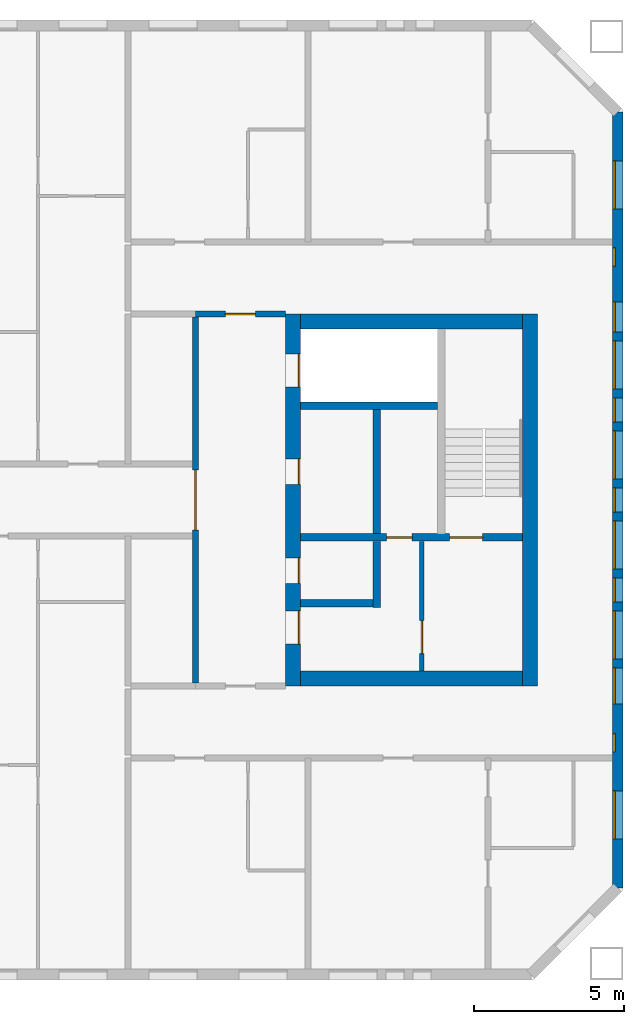
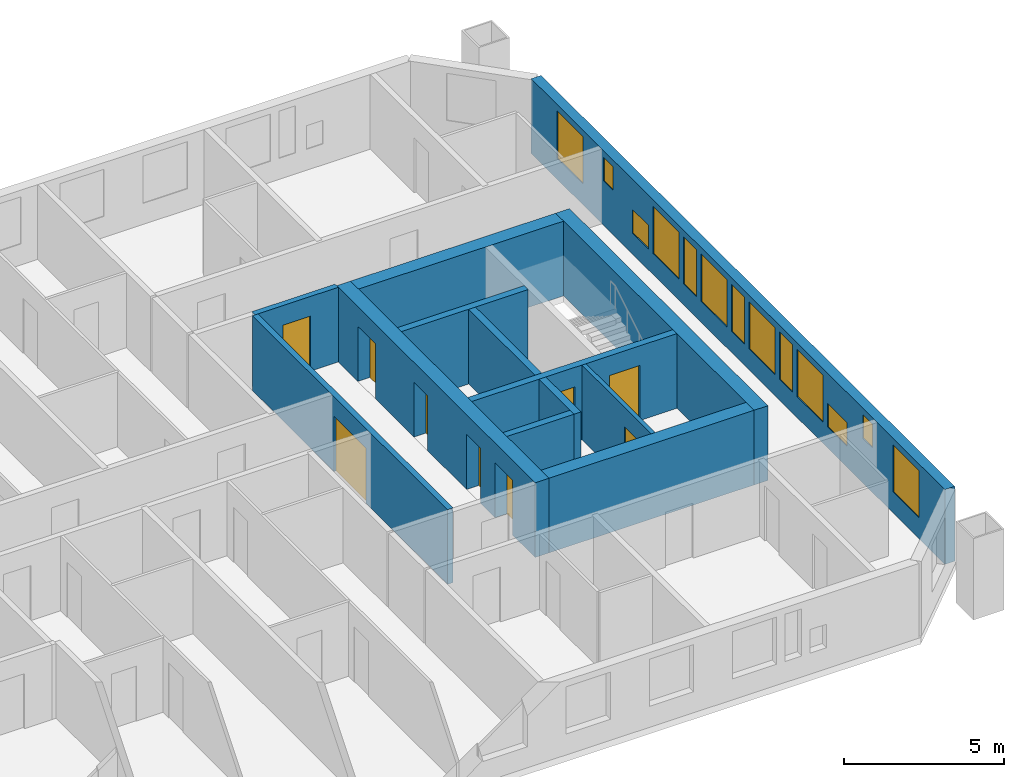
# One storey, part 13 of 16: 13 walls, 13 windows, 9 doors, 22 openings.
"""IFC4 building model written with IfcOpenShell, lengths in metres."""

from ifc_helpers import new_model, si_unit, direction, frame, frame_2d, origin, place, context, subcontext, project, spatial, rectangle, extrude, material, layer, layer_set, type_object, element, fill, save


model = new_model("IFC4")

# Units and contexts
model_context = context("Model", 3, precision=1e-05, world=origin(), true_north=direction((0.0, 1.0)))
body_context = subcontext(model_context, "Body", "Model", "MODEL_VIEW")
ifc_project = project(units=[si_unit("LENGTHUNIT", "METRE"), si_unit("AREAUNIT", "SQUARE_METRE"), si_unit("VOLUMEUNIT", "CUBIC_METRE"), si_unit("PLANEANGLEUNIT", "RADIAN"), si_unit("MASSUNIT", "GRAM", prefix="KILO")], contexts=[model_context])

# Site, building, storey
site_placement = place(None, origin())
site = spatial("IfcSite", under=ifc_project, at=site_placement, CompositionType="ELEMENT")
building_placement = place(site_placement, origin())
building = spatial("IfcBuilding", under=site, at=building_placement, Name="Tuart Gate Housing", CompositionType="ELEMENT")
storey_placement = place(building_placement, frame((0.0, 0.0, 151.60009765625)))
storey = spatial("IfcBuildingStorey", under=building, at=storey_placement, Name="L42", CompositionType="ELEMENT", Elevation=151.60009765625)

# Wall, openings, windows
ifc_material_1 = material(Name="Brick", Category="masonry")
ifc_layer_1 = layer(ifc_material_1, 0.360107421875)
ifc_layer_set_1 = layer_set([ifc_layer_1], Name="Brick pier and spandrel wall 360")
wall_type_1 = type_object("IfcWallType", Name="Brick pier and spandrel wall 360", PredefinedType="STANDARD", material=ifc_layer_set_1)
wall_1_placement = place(storey_placement, frame((171.320068359375, 57.07470703125, 0.0), z_axis=(0.0, 0.0, 1.0), x_axis=(0.0, 1.0, 0.0)))
wall_1 = element("IfcWall", 1, at=wall_1_placement, inside=storey, type_object=wall_type_1, Name="External wall B-E L42", PredefinedType="STANDARD", context=body_context, shape_type="SweptSolid", body=[
    extrude(rectangle(XDim=25.850830078125, YDim=0.360107421875, at=frame_2d((12.92529296875, 0.0))), origin(), (0.0, 0.0, 1.0), 2.849853515625),
])
opening_1_placement = place(wall_1_placement, frame((1.62548828125, 0.0, 0.800048828125)))
opening_1 = element("IfcOpeningElement", 2, at=opening_1_placement, cuts=wall_1, Name="Opening W1", PredefinedType="OPENING", context=body_context, shape_type="SweptSolid", body=[
    extrude(rectangle(XDim=1.60009765625, YDim=1.800048828125, at=frame_2d((0.800048828125, 0.89990234375))), frame((0.0, 0.18994140625, 0.0), z_axis=(0.0, -1.0, 0.0), x_axis=(1.0, 0.0, 0.0)), (0.0, 0.0, 1.0), 0.380126953125),
])
opening_2_placement = place(wall_1_placement, frame((4.525390625, 0.0, 1.699951171875)))
opening_2 = element("IfcOpeningElement", 3, at=opening_2_placement, cuts=wall_1, Name="Opening W1W", PredefinedType="OPENING", context=body_context, shape_type="SweptSolid", body=[
    extrude(rectangle(XDim=0.60009765625, YDim=0.89990234375, at=frame_2d((0.300048828125, 0.449951171875))), frame((0.0, 0.18994140625, 0.0), z_axis=(0.0, -1.0, 0.0), x_axis=(1.0, 0.0, 0.0)), (0.0, 0.0, 1.0), 0.380126953125),
])
opening_3_placement = place(wall_1_placement, frame((7.62548828125, 0.0, 0.800048828125)))
opening_3 = element("IfcOpeningElement", 4, at=opening_3_placement, cuts=wall_1, Name="Opening W1", PredefinedType="OPENING", context=body_context, shape_type="SweptSolid", body=[
    extrude(rectangle(XDim=1.60009765625, YDim=1.800048828125, at=frame_2d((0.800048828125, 0.89990234375))), frame((0.0, 0.18994140625, 0.0), z_axis=(0.0, -1.0, 0.0), x_axis=(1.0, 0.0, 0.0)), (0.0, 0.0, 1.0), 0.380126953125),
])
opening_4_placement = place(wall_1_placement, frame((10.62548828125, 0.0, 0.800048828125)))
opening_4 = element("IfcOpeningElement", 5, at=opening_4_placement, cuts=wall_1, Name="Opening W1", PredefinedType="OPENING", context=body_context, shape_type="SweptSolid", body=[
    extrude(rectangle(XDim=1.60009765625, YDim=1.800048828125, at=frame_2d((0.800048828125, 0.89990234375))), frame((0.0, 0.18994140625, 0.0), z_axis=(0.0, -1.0, 0.0), x_axis=(1.0, 0.0, 0.0)), (0.0, 0.0, 1.0), 0.380126953125),
])
opening_5_placement = place(wall_1_placement, frame((13.62548828125, 0.0, 0.800048828125)))
opening_5 = element("IfcOpeningElement", 6, at=opening_5_placement, cuts=wall_1, Name="Opening W1", PredefinedType="OPENING", context=body_context, shape_type="SweptSolid", body=[
    extrude(rectangle(XDim=1.60009765625, YDim=1.800048828125, at=frame_2d((0.800048828125, 0.89990234375))), frame((0.0, 0.18994140625, 0.0), z_axis=(0.0, -1.0, 0.0), x_axis=(1.0, 0.0, 0.0)), (0.0, 0.0, 1.0), 0.380126953125),
])
opening_6_placement = place(wall_1_placement, frame((16.62548828125, 0.0, 0.800048828125)))
opening_6 = element("IfcOpeningElement", 7, at=opening_6_placement, cuts=wall_1, Name="Opening W1", PredefinedType="OPENING", context=body_context, shape_type="SweptSolid", body=[
    extrude(rectangle(XDim=1.60009765625, YDim=1.800048828125, at=frame_2d((0.800048828125, 0.89990234375))), frame((0.0, 0.18994140625, 0.0), z_axis=(0.0, -1.0, 0.0), x_axis=(1.0, 0.0, 0.0)), (0.0, 0.0, 1.0), 0.380126953125),
])
opening_7_placement = place(wall_1_placement, frame((6.12548828125, 0.0, 0.800048828125)))
opening_7 = element("IfcOpeningElement", 8, at=opening_7_placement, cuts=wall_1, Name="Opening W1T", PredefinedType="OPENING", context=body_context, shape_type="SweptSolid", body=[
    extrude(rectangle(XDim=1.199951171875, YDim=0.89990234375, at=frame_2d((0.60009765625, 0.449951171875))), frame((0.0, 0.18994140625, 0.0), z_axis=(0.0, -1.0, 0.0), x_axis=(1.0, 0.0, 0.0)), (0.0, 0.0, 1.0), 0.380126953125),
])
opening_8_placement = place(wall_1_placement, frame((22.62548828125, 0.0, 0.800048828125)))
opening_8 = element("IfcOpeningElement", 9, at=opening_8_placement, cuts=wall_1, Name="Opening W1", PredefinedType="OPENING", context=body_context, shape_type="SweptSolid", body=[
    extrude(rectangle(XDim=1.60009765625, YDim=1.800048828125, at=frame_2d((0.800048828125, 0.89990234375))), frame((0.0, 0.18994140625, 0.0), z_axis=(0.0, -1.0, 0.0), x_axis=(1.0, 0.0, 0.0)), (0.0, 0.0, 1.0), 0.380126953125),
])
opening_9_placement = place(wall_1_placement, frame((9.525390625, 0.0, 0.800048828125)))
opening_9 = element("IfcOpeningElement", 10, at=opening_9_placement, cuts=wall_1, Name="Opening W1D", PredefinedType="OPENING", context=body_context, shape_type="SweptSolid", body=[
    extrude(rectangle(XDim=0.800048828125, YDim=1.800048828125, at=frame_2d((0.39990234375, 0.89990234375))), frame((0.0, 0.18994140625, 0.0), z_axis=(0.0, -1.0, 0.0), x_axis=(1.0, 0.0, 0.0)), (0.0, 0.0, 1.0), 0.380126953125),
])
opening_10_placement = place(wall_1_placement, frame((12.525390625, 0.0, 0.800048828125)))
opening_10 = element("IfcOpeningElement", 11, at=opening_10_placement, cuts=wall_1, Name="Opening W1D", PredefinedType="OPENING", context=body_context, shape_type="SweptSolid", body=[
    extrude(rectangle(XDim=0.800048828125, YDim=1.800048828125, at=frame_2d((0.39990234375, 0.89990234375))), frame((0.0, 0.18994140625, 0.0), z_axis=(0.0, -1.0, 0.0), x_axis=(1.0, 0.0, 0.0)), (0.0, 0.0, 1.0), 0.380126953125),
])
opening_11_placement = place(wall_1_placement, frame((15.525390625, 0.0, 0.800048828125)))
opening_11 = element("IfcOpeningElement", 12, at=opening_11_placement, cuts=wall_1, Name="Opening W1D", PredefinedType="OPENING", context=body_context, shape_type="SweptSolid", body=[
    extrude(rectangle(XDim=0.800048828125, YDim=1.800048828125, at=frame_2d((0.39990234375, 0.89990234375))), frame((0.0, 0.18994140625, 0.0), z_axis=(0.0, -1.0, 0.0), x_axis=(1.0, 0.0, 0.0)), (0.0, 0.0, 1.0), 0.380126953125),
])
opening_12_placement = place(wall_1_placement, frame((18.525390625, 0.0, 0.800048828125)))
opening_12 = element("IfcOpeningElement", 13, at=opening_12_placement, cuts=wall_1, Name="Opening W1U", PredefinedType="OPENING", context=body_context, shape_type="SweptSolid", body=[
    extrude(rectangle(XDim=1.0, YDim=0.89990234375, at=frame_2d((0.5, 0.449951171875))), frame((0.0, 0.18994140625, 0.0), z_axis=(0.0, -1.0, 0.0), x_axis=(1.0, 0.0, 0.0)), (0.0, 0.0, 1.0), 0.380126953125),
])
opening_13_placement = place(wall_1_placement, frame((20.725341796875, 0.0, 1.699951171875)))
opening_13 = element("IfcOpeningElement", 14, at=opening_13_placement, cuts=wall_1, Name="Opening W1W", PredefinedType="OPENING", context=body_context, shape_type="SweptSolid", body=[
    extrude(rectangle(XDim=0.60009765625, YDim=0.89990234375, at=frame_2d((0.300048828125, 0.449951171875))), frame((0.0, 0.18994140625, 0.0), z_axis=(0.0, -1.0, 0.0), x_axis=(1.0, 0.0, 0.0)), (0.0, 0.0, 1.0), 0.380126953125),
])
ifc_material_2 = material(Name="Aluminium frame with clear glass", Category="aluminium")
window_type_1 = type_object("IfcWindowType", Name="Punched window 1000 x 900", PartitioningType="SINGLE_PANEL", PredefinedType="WINDOW", material=ifc_material_2)
window_1_placement = place(opening_12_placement, origin())
window_1 = element("IfcWindow", 15, at=window_1_placement, inside=storey, type_object=window_type_1, Name="Window W1U", OverallHeight=0.89990234375, OverallWidth=1.0, PartitioningType="SINGLE_PANEL", PredefinedType="WINDOW", context=body_context, shape_type="SweptSolid", body=[
    extrude(rectangle(XDim=1.0, YDim=0.89990234375, at=frame_2d((0.5, 0.449951171875))), frame((0.0, 0.150146484375, 0.0), z_axis=(0.0, -1.0, 0.0), x_axis=(1.0, 0.0, 0.0)), (0.0, 0.0, 1.0), 0.06005859375),
])
fill(opening_12, window_1)
ifc_material_3 = material(Name="Aluminium frame with clear glass", Category="aluminium")
window_type_2 = type_object("IfcWindowType", Name="Punched window 1200 x 900", PartitioningType="SINGLE_PANEL", PredefinedType="WINDOW", material=ifc_material_3)
window_2_placement = place(opening_7_placement, origin())
window_2 = element("IfcWindow", 16, at=window_2_placement, inside=storey, type_object=window_type_2, Name="Window W1T", OverallHeight=0.89990234375, OverallWidth=1.199951171875, PartitioningType="SINGLE_PANEL", PredefinedType="WINDOW", context=body_context, shape_type="SweptSolid", body=[
    extrude(rectangle(XDim=1.199951171875, YDim=0.89990234375, at=frame_2d((0.60009765625, 0.449951171875))), frame((0.0, 0.150146484375, 0.0), z_axis=(0.0, -1.0, 0.0), x_axis=(1.0, 0.0, 0.0)), (0.0, 0.0, 1.0), 0.06005859375),
])
fill(opening_7, window_2)
ifc_material_4 = material(Name="Aluminium frame with clear glass", Category="aluminium")
window_type_3 = type_object("IfcWindowType", Name="Punched window 1600 x 1800", PartitioningType="SINGLE_PANEL", PredefinedType="WINDOW", material=ifc_material_4)
window_3_placement = place(opening_1_placement, origin())
window_3 = element("IfcWindow", 17, at=window_3_placement, inside=storey, type_object=window_type_3, Name="Window W1", OverallHeight=1.800048828125, OverallWidth=1.60009765625, PartitioningType="SINGLE_PANEL", PredefinedType="WINDOW", context=body_context, shape_type="SweptSolid", body=[
    extrude(rectangle(XDim=1.60009765625, YDim=1.800048828125, at=frame_2d((0.800048828125, 0.89990234375))), frame((0.0, 0.150146484375, 0.0), z_axis=(0.0, -1.0, 0.0), x_axis=(1.0, 0.0, 0.0)), (0.0, 0.0, 1.0), 0.06005859375),
])
fill(opening_1, window_3)
window_4_placement = place(opening_3_placement, origin())
window_4 = element("IfcWindow", 18, at=window_4_placement, inside=storey, type_object=window_type_3, Name="Window W1", OverallHeight=1.800048828125, OverallWidth=1.60009765625, PartitioningType="SINGLE_PANEL", PredefinedType="WINDOW", context=body_context, shape_type="SweptSolid", body=[
    extrude(rectangle(XDim=1.60009765625, YDim=1.800048828125, at=frame_2d((0.800048828125, 0.89990234375))), frame((0.0, 0.150146484375, 0.0), z_axis=(0.0, -1.0, 0.0), x_axis=(1.0, 0.0, 0.0)), (0.0, 0.0, 1.0), 0.06005859375),
])
fill(opening_3, window_4)
window_5_placement = place(opening_4_placement, origin())
window_5 = element("IfcWindow", 19, at=window_5_placement, inside=storey, type_object=window_type_3, Name="Window W1", OverallHeight=1.800048828125, OverallWidth=1.60009765625, PartitioningType="SINGLE_PANEL", PredefinedType="WINDOW", context=body_context, shape_type="SweptSolid", body=[
    extrude(rectangle(XDim=1.60009765625, YDim=1.800048828125, at=frame_2d((0.800048828125, 0.89990234375))), frame((0.0, 0.150146484375, 0.0), z_axis=(0.0, -1.0, 0.0), x_axis=(1.0, 0.0, 0.0)), (0.0, 0.0, 1.0), 0.06005859375),
])
fill(opening_4, window_5)
window_6_placement = place(opening_5_placement, origin())
window_6 = element("IfcWindow", 20, at=window_6_placement, inside=storey, type_object=window_type_3, Name="Window W1", OverallHeight=1.800048828125, OverallWidth=1.60009765625, PartitioningType="SINGLE_PANEL", PredefinedType="WINDOW", context=body_context, shape_type="SweptSolid", body=[
    extrude(rectangle(XDim=1.60009765625, YDim=1.800048828125, at=frame_2d((0.800048828125, 0.89990234375))), frame((0.0, 0.150146484375, 0.0), z_axis=(0.0, -1.0, 0.0), x_axis=(1.0, 0.0, 0.0)), (0.0, 0.0, 1.0), 0.06005859375),
])
fill(opening_5, window_6)
window_7_placement = place(opening_6_placement, origin())
window_7 = element("IfcWindow", 21, at=window_7_placement, inside=storey, type_object=window_type_3, Name="Window W1", OverallHeight=1.800048828125, OverallWidth=1.60009765625, PartitioningType="SINGLE_PANEL", PredefinedType="WINDOW", context=body_context, shape_type="SweptSolid", body=[
    extrude(rectangle(XDim=1.60009765625, YDim=1.800048828125, at=frame_2d((0.800048828125, 0.89990234375))), frame((0.0, 0.150146484375, 0.0), z_axis=(0.0, -1.0, 0.0), x_axis=(1.0, 0.0, 0.0)), (0.0, 0.0, 1.0), 0.06005859375),
])
fill(opening_6, window_7)
window_8_placement = place(opening_8_placement, origin())
window_8 = element("IfcWindow", 22, at=window_8_placement, inside=storey, type_object=window_type_3, Name="Window W1", OverallHeight=1.800048828125, OverallWidth=1.60009765625, PartitioningType="SINGLE_PANEL", PredefinedType="WINDOW", context=body_context, shape_type="SweptSolid", body=[
    extrude(rectangle(XDim=1.60009765625, YDim=1.800048828125, at=frame_2d((0.800048828125, 0.89990234375))), frame((0.0, 0.150146484375, 0.0), z_axis=(0.0, -1.0, 0.0), x_axis=(1.0, 0.0, 0.0)), (0.0, 0.0, 1.0), 0.06005859375),
])
fill(opening_8, window_8)
ifc_material_5 = material(Name="Aluminium frame with clear glass", Category="aluminium")
window_type_4 = type_object("IfcWindowType", Name="Punched window 600 x 900", PartitioningType="SINGLE_PANEL", PredefinedType="WINDOW", material=ifc_material_5)
window_9_placement = place(opening_2_placement, origin())
window_9 = element("IfcWindow", 23, at=window_9_placement, inside=storey, type_object=window_type_4, Name="Window W1W", OverallHeight=0.89990234375, OverallWidth=0.60009765625, PartitioningType="SINGLE_PANEL", PredefinedType="WINDOW", context=body_context, shape_type="SweptSolid", body=[
    extrude(rectangle(XDim=0.60009765625, YDim=0.89990234375, at=frame_2d((0.300048828125, 0.449951171875))), frame((0.0, 0.150146484375, 0.0), z_axis=(0.0, -1.0, 0.0), x_axis=(1.0, 0.0, 0.0)), (0.0, 0.0, 1.0), 0.06005859375),
])
fill(opening_2, window_9)
window_10_placement = place(opening_13_placement, origin())
window_10 = element("IfcWindow", 24, at=window_10_placement, inside=storey, type_object=window_type_4, Name="Window W1W", OverallHeight=0.89990234375, OverallWidth=0.60009765625, PartitioningType="SINGLE_PANEL", PredefinedType="WINDOW", context=body_context, shape_type="SweptSolid", body=[
    extrude(rectangle(XDim=0.60009765625, YDim=0.89990234375, at=frame_2d((0.300048828125, 0.449951171875))), frame((0.0, 0.150146484375, 0.0), z_axis=(0.0, -1.0, 0.0), x_axis=(1.0, 0.0, 0.0)), (0.0, 0.0, 1.0), 0.06005859375),
])
fill(opening_13, window_10)
ifc_material_6 = material(Name="Aluminium frame with clear glass", Category="aluminium")
window_type_5 = type_object("IfcWindowType", Name="Punched window 800 x 1800", PartitioningType="SINGLE_PANEL", PredefinedType="WINDOW", material=ifc_material_6)
window_11_placement = place(opening_9_placement, origin())
window_11 = element("IfcWindow", 25, at=window_11_placement, inside=storey, type_object=window_type_5, Name="Window W1D", OverallHeight=1.800048828125, OverallWidth=0.800048828125, PartitioningType="SINGLE_PANEL", PredefinedType="WINDOW", context=body_context, shape_type="SweptSolid", body=[
    extrude(rectangle(XDim=0.800048828125, YDim=1.800048828125, at=frame_2d((0.39990234375, 0.89990234375))), frame((0.0, 0.150146484375, 0.0), z_axis=(0.0, -1.0, 0.0), x_axis=(1.0, 0.0, 0.0)), (0.0, 0.0, 1.0), 0.06005859375),
])
fill(opening_9, window_11)
window_12_placement = place(opening_10_placement, origin())
window_12 = element("IfcWindow", 26, at=window_12_placement, inside=storey, type_object=window_type_5, Name="Window W1D", OverallHeight=1.800048828125, OverallWidth=0.800048828125, PartitioningType="SINGLE_PANEL", PredefinedType="WINDOW", context=body_context, shape_type="SweptSolid", body=[
    extrude(rectangle(XDim=0.800048828125, YDim=1.800048828125, at=frame_2d((0.39990234375, 0.89990234375))), frame((0.0, 0.150146484375, 0.0), z_axis=(0.0, -1.0, 0.0), x_axis=(1.0, 0.0, 0.0)), (0.0, 0.0, 1.0), 0.06005859375),
])
fill(opening_10, window_12)
window_13_placement = place(opening_11_placement, origin())
window_13 = element("IfcWindow", 27, at=window_13_placement, inside=storey, type_object=window_type_5, Name="Window W1D", OverallHeight=1.800048828125, OverallWidth=0.800048828125, PartitioningType="SINGLE_PANEL", PredefinedType="WINDOW", context=body_context, shape_type="SweptSolid", body=[
    extrude(rectangle(XDim=0.800048828125, YDim=1.800048828125, at=frame_2d((0.39990234375, 0.89990234375))), frame((0.0, 0.150146484375, 0.0), z_axis=(0.0, -1.0, 0.0), x_axis=(1.0, 0.0, 0.0)), (0.0, 0.0, 1.0), 0.06005859375),
])
fill(opening_11, window_13)

# Wall, opening, door
ifc_material_7 = material(Name="Plasterboard partition")
ifc_layer_2 = layer(ifc_material_7, 0.14990234375)
ifc_layer_set_2 = layer_set([ifc_layer_2], Name="Core partition 150")
wall_type_2 = type_object("IfcWallType", Name="Core partition 150", PredefinedType="PARTITIONING", material=ifc_layer_set_2)
wall_2_placement = place(storey_placement, frame((164.7900390625, 68.625, 0.0), z_axis=(0.0, 0.0, 1.0), x_axis=(0.0, -1.0, 0.0)))
wall_2 = element("IfcWall", 28, at=wall_2_placement, inside=storey, type_object=wall_type_2, Name="Core partition BK.6", PredefinedType="PARTITIONING", context=body_context, shape_type="SweptSolid", body=[
    extrude(rectangle(XDim=4.324951171875, YDim=0.14990234375, at=frame_2d((2.16259765625, 0.0))), origin(), (0.0, 0.0, 1.0), 2.849853515625),
])
opening_14_placement = place(wall_2_placement, frame((2.64990234375, 0.0, 0.0)))
opening_14 = element("IfcOpeningElement", 29, at=opening_14_placement, cuts=wall_2, Name="Opening D1605", PredefinedType="OPENING", context=body_context, shape_type="SweptSolid", body=[
    extrude(rectangle(XDim=1.10009765625, YDim=2.10009765625, at=frame_2d((0.550048828125, 1.050048828125))), frame((0.0, 0.0849609375, 0.0), z_axis=(0.0, -1.0, 0.0), x_axis=(1.0, 0.0, 0.0)), (0.0, 0.0, 1.0), 0.169921875),
])
ifc_material_8 = material(Name="Steel fire door", Category="steel")
door_type_1 = type_object("IfcDoorType", Name="Lobby door 1100 x 2100 RH", OperationType="SINGLE_SWING_RIGHT", PredefinedType="DOOR", material=ifc_material_8)
door_1_placement = place(opening_14_placement, origin())
door_1 = element("IfcDoor", 30, at=door_1_placement, inside=storey, type_object=door_type_1, Name="Smoke lobby door BK.KD", OperationType="SINGLE_SWING_RIGHT", OverallHeight=2.10009765625, OverallWidth=1.10009765625, PredefinedType="DOOR", context=body_context, shape_type="SweptSolid", body=[
    extrude(rectangle(XDim=1.10009765625, YDim=2.10009765625, at=frame_2d((0.550048828125, 1.050048828125))), frame((0.0, 0.02490234375, 0.0), z_axis=(0.0, -1.0, 0.0), x_axis=(1.0, 0.0, 0.0)), (0.0, 0.0, 1.0), 0.050048828125),
])
fill(opening_14, door_1)

# Wall
ifc_material_9 = material(Name="Concrete C40", Category="concrete")
ifc_layer_3 = layer(ifc_material_9, 0.25)
ifc_layer_set_3 = layer_set([ifc_layer_3], Name="Core wall 250 C40")
wall_type_3 = type_object("IfcWallType", Name="Core wall 250 C40", PredefinedType="SHEAR", material=ifc_layer_set_3)
wall_3_placement = place(storey_placement, frame((160.739990234375, 73.14990234375, 0.0), z_axis=(0.0, 0.0, 1.0), x_axis=(1.0, 0.0, 0.0)))
element("IfcWall", 31, at=wall_3_placement, inside=storey, type_object=wall_type_3, Name="Core wall BK.1", PredefinedType="SHEAR", context=body_context, shape_type="SweptSolid", body=[
    extrude(rectangle(XDim=4.574951171875, YDim=0.25, at=frame_2d((2.28759765625, 0.0))), origin(), (0.0, 0.0, 1.0), 2.849853515625),
])

# Wall, openings, doors
wall_4_placement = place(storey_placement, frame((160.739990234375, 68.75, 0.0), z_axis=(0.0, 0.0, 1.0), x_axis=(1.0, 0.0, 0.0)))
wall_4 = element("IfcWall", 32, at=wall_4_placement, inside=storey, type_object=wall_type_3, Name="Core wall BK.2", PredefinedType="SHEAR", context=body_context, shape_type="SweptSolid", body=[
    extrude(rectangle(XDim=7.39990234375, YDim=0.25, at=frame_2d((3.699951171875, 0.0))), origin(), (0.0, 0.0, 1.0), 2.849853515625),
])
opening_15_placement = place(wall_4_placement, frame((4.97509765625, 0.0, 0.0)))
opening_15 = element("IfcOpeningElement", 33, at=opening_15_placement, cuts=wall_4, Name="Opening D1604", PredefinedType="OPENING", context=body_context, shape_type="SweptSolid", body=[
    extrude(rectangle(XDim=1.10009765625, YDim=2.10009765625, at=frame_2d((0.550048828125, 1.050048828125))), frame((0.0, 0.135009765625, 0.0), z_axis=(0.0, -1.0, 0.0), x_axis=(1.0, 0.0, 0.0)), (0.0, 0.0, 1.0), 0.27001953125),
])
opening_16_placement = place(wall_4_placement, frame((2.875, 0.0, 0.0)))
opening_16 = element("IfcOpeningElement", 34, at=opening_16_placement, cuts=wall_4, Name="Opening D1603", PredefinedType="OPENING", context=body_context, shape_type="SweptSolid", body=[
    extrude(rectangle(XDim=0.85009765625, YDim=2.10009765625, at=frame_2d((0.425048828125, 1.050048828125))), frame((0.0, 0.135009765625, 0.0), z_axis=(0.0, -1.0, 0.0), x_axis=(1.0, 0.0, 0.0)), (0.0, 0.0, 1.0), 0.27001953125),
])
ifc_material_10 = material(Name="Steel fire door", Category="steel")
door_type_2 = type_object("IfcDoorType", Name="Riser door 850 x 2100", OperationType="SINGLE_SWING_LEFT", PredefinedType="DOOR", material=ifc_material_10)
door_2_placement = place(opening_16_placement, origin())
door_2 = element("IfcDoor", 35, at=door_2_placement, inside=storey, type_object=door_type_2, Name="Service room door BK.W1", OperationType="SINGLE_SWING_LEFT", OverallHeight=2.10009765625, OverallWidth=0.85009765625, PredefinedType="DOOR", context=body_context, shape_type="SweptSolid", body=[
    extrude(rectangle(XDim=0.85009765625, YDim=2.10009765625, at=frame_2d((0.425048828125, 1.050048828125))), frame((0.0, 0.02490234375, 0.0), z_axis=(0.0, -1.0, 0.0), x_axis=(1.0, 0.0, 0.0)), (0.0, 0.0, 1.0), 0.050048828125),
])
fill(opening_16, door_2)
ifc_material_11 = material(Name="Steel fire door", Category="steel")
door_type_3 = type_object("IfcDoorType", Name="Stair door 1100 x 2100", OperationType="SINGLE_SWING_LEFT", PredefinedType="DOOR", material=ifc_material_11)
door_3_placement = place(opening_15_placement, origin())
door_3 = element("IfcDoor", 36, at=door_3_placement, inside=storey, type_object=door_type_3, Name="Stair door BK.SD", OperationType="SINGLE_SWING_LEFT", OverallHeight=2.10009765625, OverallWidth=1.10009765625, PredefinedType="DOOR", context=body_context, shape_type="SweptSolid", body=[
    extrude(rectangle(XDim=1.10009765625, YDim=2.10009765625, at=frame_2d((0.550048828125, 1.050048828125))), frame((0.0, 0.02490234375, 0.0), z_axis=(0.0, -1.0, 0.0), x_axis=(1.0, 0.0, 0.0)), (0.0, 0.0, 1.0), 0.050048828125),
])
fill(opening_15, door_3)

# Walls
wall_5_placement = place(storey_placement, frame((160.739990234375, 66.550048828125, 0.0), z_axis=(0.0, 0.0, 1.0), x_axis=(1.0, 0.0, 0.0)))
element("IfcWall", 37, at=wall_5_placement, inside=storey, type_object=wall_type_3, Name="Core wall BK.3", PredefinedType="SHEAR", context=body_context, shape_type="SweptSolid", body=[
    extrude(rectangle(XDim=2.425048828125, YDim=0.25, at=frame_2d((1.21240234375, 0.0))), origin(), (0.0, 0.0, 1.0), 2.849853515625),
])
wall_6_placement = place(storey_placement, frame((163.2900390625, 73.02490234375, 0.0), z_axis=(0.0, 0.0, 1.0), x_axis=(0.0, -1.0, 0.0)))
element("IfcWall", 38, at=wall_6_placement, inside=storey, type_object=wall_type_3, Name="Core wall BK.4", PredefinedType="SHEAR", context=body_context, shape_type="SweptSolid", body=[
    extrude(rectangle(XDim=4.14990234375, YDim=0.25, at=frame_2d((2.074951171875, 0.0))), origin(), (0.0, 0.0, 1.0), 2.849853515625),
])
wall_7_placement = place(storey_placement, frame((163.2900390625, 68.625, 0.0), z_axis=(0.0, 0.0, 1.0), x_axis=(0.0, -1.0, 0.0)))
element("IfcWall", 39, at=wall_7_placement, inside=storey, type_object=wall_type_3, Name="Core wall BK.5", PredefinedType="SHEAR", context=body_context, shape_type="SweptSolid", body=[
    extrude(rectangle(XDim=2.199951171875, YDim=0.25, at=frame_2d((1.10009765625, 0.0))), origin(), (0.0, 0.0, 1.0), 2.849853515625),
])

# Wall, openings, doors
ifc_material_12 = material(Name="Concrete C40", Category="concrete")
ifc_layer_4 = layer(ifc_material_12, 0.5)
ifc_layer_set_4 = layer_set([ifc_layer_4], Name="Core wall 500 C40")
wall_type_4 = type_object("IfcWallType", Name="Core wall 500 C40", PredefinedType="SHEAR", material=ifc_layer_set_4)
wall_8_placement = place(storey_placement, frame((160.489990234375, 76.199951171875, 0.0), z_axis=(0.0, 0.0, 1.0), x_axis=(0.0, -1.0, 0.0)))
wall_8 = element("IfcWall", 40, at=wall_8_placement, inside=storey, type_object=wall_type_4, Name="Core wall BK front", PredefinedType="SHEAR", context=body_context, shape_type="SweptSolid", body=[
    extrude(rectangle(XDim=12.39990234375, YDim=0.5, at=frame_2d((6.199951171875, 0.0))), origin(), (0.0, 0.0, 1.0), 2.849853515625),
])
opening_17_placement = place(wall_8_placement, frame((1.324951171875, 0.0, 0.0)))
opening_17 = element("IfcOpeningElement", 41, at=opening_17_placement, cuts=wall_8, Name="Opening LD-FB2", PredefinedType="OPENING", context=body_context, shape_type="SweptSolid", body=[
    extrude(rectangle(XDim=1.10009765625, YDim=2.10009765625, at=frame_2d((0.550048828125, 1.050048828125))), frame((0.0, 0.260009765625, 0.0), z_axis=(0.0, -1.0, 0.0), x_axis=(1.0, 0.0, 0.0)), (0.0, 0.0, 1.0), 0.52001953125),
])
opening_18_placement = place(wall_8_placement, frame((4.824951171875, 0.0, 0.0)))
opening_18 = element("IfcOpeningElement", 42, at=opening_18_placement, cuts=wall_8, Name="Opening D1599", PredefinedType="OPENING", context=body_context, shape_type="SweptSolid", body=[
    extrude(rectangle(XDim=0.85009765625, YDim=2.10009765625, at=frame_2d((0.425048828125, 1.050048828125))), frame((0.0, 0.260009765625, 0.0), z_axis=(0.0, -1.0, 0.0), x_axis=(1.0, 0.0, 0.0)), (0.0, 0.0, 1.0), 0.52001953125),
])
opening_19_placement = place(wall_8_placement, frame((9.89990234375, 0.0, 0.0)))
opening_19 = element("IfcOpeningElement", 43, at=opening_19_placement, cuts=wall_8, Name="Opening D1598", PredefinedType="OPENING", context=body_context, shape_type="SweptSolid", body=[
    extrude(rectangle(XDim=1.10009765625, YDim=2.10009765625, at=frame_2d((0.550048828125, 1.050048828125))), frame((0.0, 0.260009765625, 0.0), z_axis=(0.0, -1.0, 0.0), x_axis=(1.0, 0.0, 0.0)), (0.0, 0.0, 1.0), 0.52001953125),
])
opening_20_placement = place(wall_8_placement, frame((8.125, 0.0, 0.0)))
opening_20 = element("IfcOpeningElement", 44, at=opening_20_placement, cuts=wall_8, Name="Opening D1600", PredefinedType="OPENING", context=body_context, shape_type="SweptSolid", body=[
    extrude(rectangle(XDim=0.85009765625, YDim=2.10009765625, at=frame_2d((0.425048828125, 1.050048828125))), frame((0.0, 0.260009765625, 0.0), z_axis=(0.0, -1.0, 0.0), x_axis=(1.0, 0.0, 0.0)), (0.0, 0.0, 1.0), 0.52001953125),
])
ifc_material_13 = material(Name="Stainless steel", Category="steel")
door_type_4 = type_object("IfcDoorType", Name="Landing door 1100 x 2100", OperationType="DOUBLE_DOOR_SLIDING", PredefinedType="DOOR", material=ifc_material_13)
door_4_placement = place(opening_17_placement, origin())
door_4 = element("IfcDoor", 45, at=door_4_placement, inside=storey, type_object=door_type_4, Name="Lift landing door FB2", OperationType="DOUBLE_DOOR_SLIDING", OverallHeight=2.10009765625, OverallWidth=1.10009765625, PredefinedType="DOOR", context=body_context, shape_type="SweptSolid", body=[
    extrude(rectangle(XDim=1.10009765625, YDim=2.10009765625, at=frame_2d((0.550048828125, 1.050048828125))), frame((0.0, 0.23486328125, 0.0), z_axis=(0.0, -1.0, 0.0), x_axis=(1.0, 0.0, 0.0)), (0.0, 0.0, 1.0), 0.050048828125),
])
fill(opening_17, door_4)
ifc_material_14 = material(Name="Steel fire door", Category="steel")
door_type_5 = type_object("IfcDoorType", Name="Lobby door 1100 x 2100", OperationType="SINGLE_SWING_LEFT", PredefinedType="DOOR", material=ifc_material_14)
door_5_placement = place(opening_19_placement, origin())
door_5 = element("IfcDoor", 46, at=door_5_placement, inside=storey, type_object=door_type_5, Name="Lobby entry door BK.EN", OperationType="SINGLE_SWING_LEFT", OverallHeight=2.10009765625, OverallWidth=1.10009765625, PredefinedType="DOOR", context=body_context, shape_type="SweptSolid", body=[
    extrude(rectangle(XDim=1.10009765625, YDim=2.10009765625, at=frame_2d((0.550048828125, 1.050048828125))), frame((0.0, 0.23486328125, 0.0), z_axis=(0.0, -1.0, 0.0), x_axis=(1.0, 0.0, 0.0)), (0.0, 0.0, 1.0), 0.050048828125),
])
fill(opening_19, door_5)
ifc_material_15 = material(Name="Steel fire door", Category="steel")
door_type_6 = type_object("IfcDoorType", Name="Service door 850 x 2100", OperationType="SINGLE_SWING_LEFT", PredefinedType="DOOR", material=ifc_material_15)
door_6_placement = place(opening_18_placement, origin())
door_6 = element("IfcDoor", 47, at=door_6_placement, inside=storey, type_object=door_type_6, Name="Service room door BK.FR1", OperationType="SINGLE_SWING_LEFT", OverallHeight=2.10009765625, OverallWidth=0.85009765625, PredefinedType="DOOR", context=body_context, shape_type="SweptSolid", body=[
    extrude(rectangle(XDim=0.85009765625, YDim=2.10009765625, at=frame_2d((0.425048828125, 1.050048828125))), frame((0.0, 0.23486328125, 0.0), z_axis=(0.0, -1.0, 0.0), x_axis=(1.0, 0.0, 0.0)), (0.0, 0.0, 1.0), 0.050048828125),
])
fill(opening_18, door_6)
door_7_placement = place(opening_20_placement, origin())
door_7 = element("IfcDoor", 48, at=door_7_placement, inside=storey, type_object=door_type_6, Name="Service room door BK.T1", OperationType="SINGLE_SWING_LEFT", OverallHeight=2.10009765625, OverallWidth=0.85009765625, PredefinedType="DOOR", context=body_context, shape_type="SweptSolid", body=[
    extrude(rectangle(XDim=0.85009765625, YDim=2.10009765625, at=frame_2d((0.425048828125, 1.050048828125))), frame((0.0, 0.23486328125, 0.0), z_axis=(0.0, -1.0, 0.0), x_axis=(1.0, 0.0, 0.0)), (0.0, 0.0, 1.0), 0.050048828125),
])
fill(opening_20, door_7)

# Walls
wall_9_placement = place(storey_placement, frame((168.389892578125, 76.199951171875, 0.0), z_axis=(0.0, 0.0, 1.0), x_axis=(0.0, -1.0, 0.0)))
element("IfcWall", 49, at=wall_9_placement, inside=storey, type_object=wall_type_4, Name="Core wall BK back", PredefinedType="SHEAR", context=body_context, shape_type="SweptSolid", body=[
    extrude(rectangle(XDim=12.39990234375, YDim=0.5, at=frame_2d((6.199951171875, 0.0))), origin(), (0.0, 0.0, 1.0), 2.849853515625),
])
for number, where, z_axis, x_axis, name in (
    (50, (160.739990234375, 75.949951171875, 0.0), (0.0, 0.0, 1.0), (1.0, 0.0, 0.0), "Core wall BK south"),
    (51, (160.739990234375, 64.050048828125, 0.0), (0.0, 0.0, 1.0), (1.0, 0.0, 0.0), "Core wall BK north"),
):
    element("IfcWall", number, at=place(storey_placement, frame(where, z_axis=z_axis, x_axis=x_axis)), inside=storey, type_object=wall_type_4, Name=name, PredefinedType="SHEAR", context=body_context, shape_type="SweptSolid", body=[
        extrude(rectangle(XDim=7.39990234375, YDim=0.5, at=frame_2d((3.699951171875, 0.0))), origin(), (0.0, 0.0, 1.0), 2.849853515625),
    ])

# Wall, opening, door
ifc_material_16 = material(Name="Concrete masonry 15 MPa", Category="masonry")
ifc_layer_5 = layer(ifc_material_16, 0.199951171875)
ifc_layer_set_5 = layer_set([ifc_layer_5], Name="Enclosure wall masonry 200")
wall_type_5 = type_object("IfcWallType", Name="Enclosure wall masonry 200", PredefinedType="PARTITIONING", material=ifc_layer_set_5)
wall_10_placement = place(storey_placement, frame((157.239990234375, 76.199951171875, 0.0), z_axis=(0.0, 0.0, 1.0), x_axis=(1.0, 0.0, 0.0)))
wall_10 = element("IfcWall", 52, at=wall_10_placement, inside=storey, type_object=wall_type_5, Name="Enclosure wall masonry 200", PredefinedType="PARTITIONING", context=body_context, shape_type="SweptSolid", body=[
    extrude(rectangle(XDim=3.0, YDim=0.199951171875, at=frame_2d((1.5, 0.0))), origin(), (0.0, 0.0, 1.0), 2.849853515625),
])
opening_21_placement = place(wall_10_placement, frame((1.0, 0.0, 0.0)))
opening_21 = element("IfcOpeningElement", 53, at=opening_21_placement, cuts=wall_10, Name="Opening D1589", PredefinedType="OPENING", context=body_context, shape_type="SweptSolid", body=[
    extrude(rectangle(XDim=1.0, YDim=2.10009765625, at=frame_2d((0.5, 1.050048828125))), frame((0.0, 0.10986328125, 0.0), z_axis=(0.0, -1.0, 0.0), x_axis=(1.0, 0.0, 0.0)), (0.0, 0.0, 1.0), 0.219970703125),
])
ifc_material_17 = material(Name="Timber door leaf in steel frame", Category="steel")
door_type_7 = type_object("IfcDoorType", Name="Fire door 1000", OperationType="SINGLE_SWING_LEFT", PredefinedType="DOOR", material=ifc_material_17)
door_8_placement = place(opening_21_placement, origin())
door_8 = element("IfcDoor", 54, at=door_8_placement, inside=storey, type_object=door_type_7, Name="Fire door", OperationType="SINGLE_SWING_LEFT", OverallHeight=2.10009765625, OverallWidth=1.0, PredefinedType="DOOR", context=body_context, shape_type="SweptSolid", body=[
    extrude(rectangle(XDim=1.0, YDim=2.10009765625, at=frame_2d((0.5, 1.050048828125))), frame((0.0, 0.02490234375, 0.0), z_axis=(0.0, -1.0, 0.0), x_axis=(1.0, 0.0, 0.0)), (0.0, 0.0, 1.0), 0.050048828125),
])
fill(opening_21, door_8)

ifc_material_18 = material(Name="Plasterboard partition")
ifc_layer_6 = layer(ifc_material_18, 0.199951171875)
ifc_layer_set_6 = layer_set([ifc_layer_6], Name="Lobby wall 200")
wall_type_6 = type_object("IfcWallType", Name="Lobby wall 200", PredefinedType="PARTITIONING", material=ifc_layer_set_6)
wall_11_placement = place(storey_placement, frame((157.239990234375, 63.89990234375, 0.0), z_axis=(0.0, 0.0, 1.0), x_axis=(0.0, 1.0, 0.0)))
wall_11 = element("IfcWall", 55, at=wall_11_placement, inside=storey, type_object=wall_type_6, Name="Lift lobby wall BK", PredefinedType="PARTITIONING", context=body_context, shape_type="SweptSolid", body=[
    extrude(rectangle(XDim=12.2001953125, YDim=0.199951171875, at=frame_2d((6.10009765625, 0.0))), origin(), (0.0, 0.0, 1.0), 2.849853515625),
])
opening_22_placement = place(wall_11_placement, frame((5.10009765625, 0.0, 0.0)))
opening_22 = element("IfcOpeningElement", 56, at=opening_22_placement, cuts=wall_11, Name="Opening D1597", PredefinedType="OPENING", context=body_context, shape_type="SweptSolid", body=[
    extrude(rectangle(XDim=2.0, YDim=2.10009765625, at=frame_2d((1.0, 1.050048828125))), frame((0.0, 0.10986328125, 0.0), z_axis=(0.0, -1.0, 0.0), x_axis=(1.0, 0.0, 0.0)), (0.0, 0.0, 1.0), 0.219970703125),
])
ifc_material_19 = material(Name="Steel fire door", Category="steel")
door_type_8 = type_object("IfcDoorType", Name="Smoke door 2000 x 2100", OperationType="DOUBLE_DOOR_SINGLE_SWING", PredefinedType="DOOR", material=ifc_material_19)
door_9_placement = place(opening_22_placement, frame((2.0, 0.0, 0.0), z_axis=(0.0, 0.0, 1.0), x_axis=(-1.0, 0.0, 0.0)))
door_9 = element("IfcDoor", 57, at=door_9_placement, inside=storey, type_object=door_type_8, Name="Lift lobby smoke door BK", OperationType="DOUBLE_DOOR_SINGLE_SWING", OverallHeight=2.10009765625, OverallWidth=2.0, PredefinedType="DOOR", context=body_context, shape_type="SweptSolid", body=[
    extrude(rectangle(XDim=2.0, YDim=2.10009765625, at=frame_2d((1.0, 1.050048828125))), frame((0.0, 0.025146484375, 0.0), z_axis=(0.0, -1.0, 0.0), x_axis=(1.0, 0.0, 0.0)), (0.0, 0.0, 1.0), 0.050048828125),
])
fill(opening_22, door_9)

save(model, "model.ifc")
